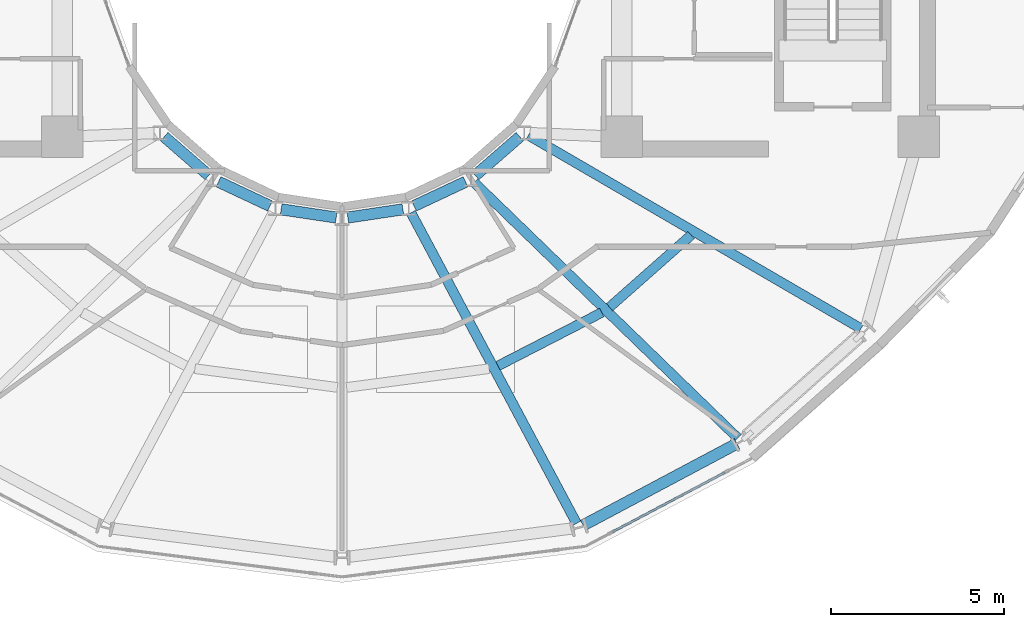
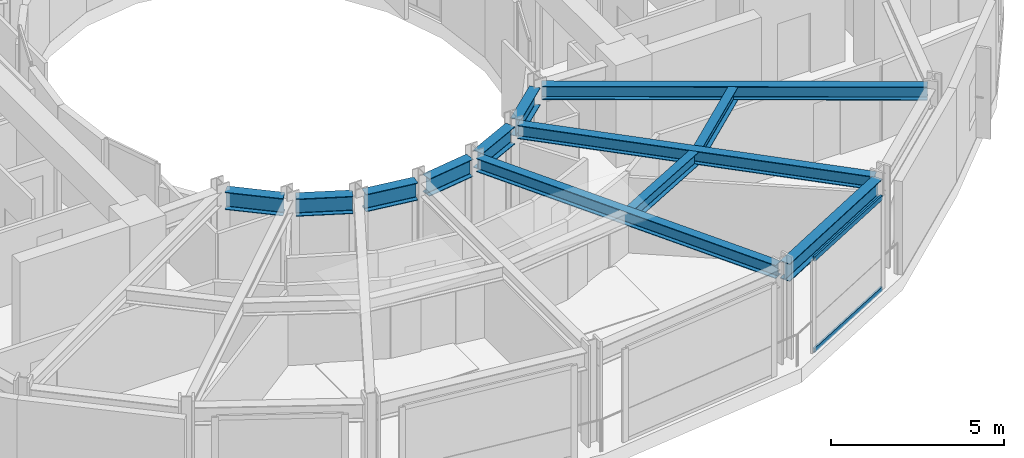
# One storey, part 5 of 25: 12 beams, 2 members, 1 element without a shape of its own.
"""IFC4 building model written with IfcOpenShell, lengths in metres."""

import ifcopenshell
import ifcopenshell.guid

model = None  # the IFC model being written
_history = None  # IfcOwnerHistory: only IFC2X3 demands one
_inside = {}  # id of a spatial element -> (the spatial element, [elements in it])
_under = {}  # id of a project, library or spatial element -> (it, [spatial elements below it])
_declared = {}  # id of a project -> (the project, [libraries it declares])
_typed = {}  # id of a type object -> (the type object, [elements of that type])
_made_of = {}  # id of a material, layer set ... -> (it, [elements and type objects made of it])


def new_model(schema):
    """Start an empty IFC model of exactly this schema.

    Asked for "IFC4X3", IfcOpenShell would pick the latest addendum, in which some entities
    have other attributes; the version numbers below select the first issue.
    IFC2X3 requires an IfcOwnerHistory on every rooted entity: one is made here for all.
    """
    global model, _history
    if schema == "IFC4X3":
        model = ifcopenshell.file(schema_version=(4, 3, 0, 0))
    else:
        model = ifcopenshell.file(schema=schema)
    _inside.clear()
    _under.clear()
    _declared.clear()
    _typed.clear()
    _made_of.clear()
    _history = None
    if model.schema == "IFC2X3":
        org = make("IfcOrganization", Name="unknown")
        user = make(
            "IfcPersonAndOrganization",
            ThePerson=make("IfcPerson", FamilyName="unknown"),
            TheOrganization=org,
        )
        app = make(
            "IfcApplication",
            ApplicationDeveloper=org,
            Version="unknown",
            ApplicationFullName="unknown",
            ApplicationIdentifier="unknown",
        )
        _history = make(
            "IfcOwnerHistory",
            OwningUser=user,
            OwningApplication=app,
            ChangeAction="ADDED",
            CreationDate=0,
        )
    return model


def make(cls, **values):
    """One entity of the class cls with the attributes given. An attribute that is None is left unset."""
    return model.create_entity(
        cls, **{name: value for name, value in values.items() if value is not None}
    )


def rooted(cls, **values):
    """An entity with a GlobalId (a new one), such as an element, a storey or a relation."""
    return make(cls, GlobalId=ifcopenshell.guid.new(), OwnerHistory=_history, **values)


def si_unit(unit_type, name, prefix=None):
    """IfcSIUnit, for example si_unit("LENGTHUNIT", "METRE", prefix="MILLI")."""
    return make("IfcSIUnit", UnitType=unit_type, Prefix=prefix, Name=name)


def assignment(units):
    """IfcUnitAssignment: the units of a project."""
    return None if units is None else make("IfcUnitAssignment", Units=units)


def point(xyz):
    """IfcCartesianPoint."""
    return None if xyz is None else make("IfcCartesianPoint", Coordinates=xyz)


def direction(xyz):
    """IfcDirection."""
    return None if xyz is None else make("IfcDirection", DirectionRatios=xyz)


def frame(location, z_axis=None, x_axis=None):
    """IfcAxis2Placement3D, a coordinate frame: its origin and axes. An axis left out is left unset."""
    return make(
        "IfcAxis2Placement3D",
        Location=point(location),
        Axis=direction(z_axis),
        RefDirection=direction(x_axis),
    )


def frame_2d(location, x_axis=None):
    """IfcAxis2Placement2D, a coordinate frame in the plane: its origin and x axis."""
    return make(
        "IfcAxis2Placement2D", Location=point(location), RefDirection=direction(x_axis)
    )


def origin():
    """The frame at (0, 0, 0) with its axes left unset."""
    return frame((0.0, 0.0, 0.0))


def origin_2d():
    """The frame at (0, 0) in the plane with its x axis left unset."""
    return frame_2d((0.0, 0.0))


def place(relative_to, where):
    """IfcLocalPlacement: puts the frame where relative to a parent placement (None: the world)."""
    return make(
        "IfcLocalPlacement", PlacementRelTo=relative_to, RelativePlacement=where
    )


def context(
    kind, dimensions, precision=None, world=None, true_north=None, identifier=None
):
    """IfcGeometricRepresentationContext, for example the 3D "Model" context."""
    return make(
        "IfcGeometricRepresentationContext",
        ContextIdentifier=identifier,
        ContextType=kind,
        CoordinateSpaceDimension=dimensions,
        Precision=precision,
        WorldCoordinateSystem=world,
        TrueNorth=true_north,
    )


def subcontext(parent, identifier, kind, view, scale=None):
    """IfcGeometricRepresentationSubContext, for example "Body" below "Model"."""
    return make(
        "IfcGeometricRepresentationSubContext",
        ContextIdentifier=identifier,
        ContextType=kind,
        ParentContext=parent,
        TargetScale=scale,
        TargetView=view,
    )


def project(units=None, contexts=None):
    """IfcProject with its units and contexts."""
    return rooted(
        "IfcProject",
        Name="project",
        RepresentationContexts=contexts,
        UnitsInContext=assignment(units),
    )


def spatial(cls, under=None, at=None, **own):
    """A site, building, storey or space (cls), placed at a placement, below another one or the project."""
    s = rooted(cls, ObjectPlacement=at, **own)
    if under is not None:
        _under.setdefault(under.id(), (under, []))[1].append(s)
    return s


def profile(cls, at=None, kind="AREA", **sizes):
    """A parametric profile (cls). Its sizes go by their IFC names, for example OverallWidth=200.0."""
    return make(cls, ProfileType=kind, Position=at, **sizes)


def hollow_rectangle(**sizes):
    """IfcRectangleHollowProfileDef."""
    return profile("IfcRectangleHollowProfileDef", **sizes)


def i_section(**sizes):
    """IfcIShapeProfileDef."""
    return profile("IfcIShapeProfileDef", **sizes)


def extrude(swept, where, along, depth):
    """IfcExtrudedAreaSolid: the profile swept, set in the frame where, extruded along a direction by depth."""
    return make(
        "IfcExtrudedAreaSolid",
        SweptArea=swept,
        Position=where,
        ExtrudedDirection=direction(along),
        Depth=depth,
    )


def shape(context_of_items, identifier, shape_type, items):
    """IfcShapeRepresentation: the items that make up one representation, for example the "Body"."""
    return make(
        "IfcShapeRepresentation",
        ContextOfItems=context_of_items,
        RepresentationIdentifier=identifier,
        RepresentationType=shape_type,
        Items=items,
    )


def material(Name=None, Category=None):
    """IfcMaterial."""
    return make("IfcMaterial", Name=Name, Category=Category)


def layer(
    of_material, thickness, ventilated=None, Name=None, Category=None, Priority=None
):
    """IfcMaterialLayer: one layer of a wall or slab, of a material (None: an air gap)."""
    return make(
        "IfcMaterialLayer",
        Material=of_material,
        LayerThickness=thickness,
        IsVentilated=ventilated,
        Name=Name,
        Category=Category,
        Priority=Priority,
    )


def layer_set(layers, Name=None):
    """IfcMaterialLayerSet."""
    return make("IfcMaterialLayerSet", MaterialLayers=layers, LayerSetName=Name)


def material_profile(
    of_material, cross_section, Name=None, Category=None, Priority=None
):
    """IfcMaterialProfile: a cross section and its material."""
    return make(
        "IfcMaterialProfile",
        Name=Name,
        Material=of_material,
        Profile=cross_section,
        Priority=Priority,
        Category=Category,
    )


def profile_set(profiles, Name=None, composite=None):
    """IfcMaterialProfileSet."""
    return make(
        "IfcMaterialProfileSet",
        Name=Name,
        MaterialProfiles=profiles,
        CompositeProfile=composite,
    )


def made_of(thing, what):
    """Note that an element or type object is made of a material, layer set ...; save() writes the relation."""
    if what is not None:
        _made_of.setdefault(what.id(), (what, []))[1].append(thing)
    return thing


def type_object(cls, material=None, **own):
    """A type object (cls), such as IfcWallType, which elements share."""
    return made_of(rooted(cls, **own), material)


def element(
    cls,
    number,
    at=None,
    inside=None,
    cuts=None,
    type_object=None,
    material=None,
    context=None,
    identifier="Body",
    shape_type=None,
    held_by="IfcProductDefinitionShape",
    body=None,
    shapes=None,
    **own,
):
    """One element of the class cls, such as IfcWall. Its Tag is "e" and its number.

    at: its placement. inside: the storey or other place that contains it. cuts: it is an
    opening in that element (IfcRelVoidsElement). A single representation is given by context,
    identifier, shape_type and body (its items); several are given by shapes. held_by: the class
    of the entity that holds the representations. save() writes the other relations.
    """
    e = rooted(cls, Tag="e%d" % number, ObjectPlacement=at, **own)
    if body is not None:
        shapes = [shape(context, identifier, shape_type, body)]
    if shapes is not None:
        e.Representation = make(held_by, Representations=shapes)
    if inside is not None:
        _inside.setdefault(inside.id(), (inside, []))[1].append(e)
    if cuts is not None:
        rooted(
            "IfcRelVoidsElement", RelatingBuildingElement=cuts, RelatedOpeningElement=e
        )
    if type_object is not None:
        _typed.setdefault(type_object.id(), (type_object, []))[1].append(e)
    return made_of(e, material)


def aggregate(whole, parts):
    """IfcRelAggregates: a whole, such as a stair, and the parts it consists of."""
    return rooted("IfcRelAggregates", RelatingObject=whole, RelatedObjects=parts)


def save(model, path):
    """Write the relations noted so far, then the file.

    IfcRelAggregates (storeys below a building ...), IfcRelContainedInSpatialStructure (elements
    in a storey), IfcRelDefinesByType, IfcRelAssociatesMaterial and IfcRelDeclares: one each for
    every whole, place, type object, material and project.
    """
    for whole, parts in _under.values():
        aggregate(whole, parts)
    for where, things in _inside.values():
        rooted(
            "IfcRelContainedInSpatialStructure",
            RelatedElements=things,
            RelatingStructure=where,
        )
    for kind, things in _typed.values():
        rooted("IfcRelDefinesByType", RelatedObjects=things, RelatingType=kind)
    for what, things in _made_of.values():
        rooted("IfcRelAssociatesMaterial", RelatedObjects=things, RelatingMaterial=what)
    for by, libraries in _declared.values():
        rooted("IfcRelDeclares", RelatingContext=by, RelatedDefinitions=libraries)
    model.write(path)


model = new_model("IFC4")

# Units and contexts
model_context = context("Model", 3, precision=1e-05, world=origin(), true_north=direction((0.0, 1.0)))
body_context = subcontext(model_context, "Body", "Model", "MODEL_VIEW")
ifc_project = project(units=[si_unit("LENGTHUNIT", "METRE"), si_unit("AREAUNIT", "SQUARE_METRE"), si_unit("VOLUMEUNIT", "CUBIC_METRE"), si_unit("PLANEANGLEUNIT", "RADIAN"), si_unit("MASSUNIT", "GRAM", prefix="KILO")], contexts=[model_context])

# Site, building, storey
site_placement = place(None, origin())
site = spatial("IfcSite", under=ifc_project, at=site_placement, CompositionType="ELEMENT")
building_placement = place(site_placement, origin())
building = spatial("IfcBuilding", under=site, at=building_placement, Name="Solvane Sanctuary Tower", CompositionType="ELEMENT")
storey_placement = place(building_placement, frame((0.0, 0.0, 238.800048828125)))
storey = spatial("IfcBuildingStorey", under=building, at=storey_placement, Name="L73", CompositionType="ELEMENT", Elevation=238.800048828125)

# Beams
ifc_material_1 = material(Name="Steel ASTM A992 Grade 50", Category="steel")
ifc_material_profile_1 = material_profile(ifc_material_1, i_section(OverallWidth=0.282958984375, OverallDepth=0.471923828125, WebThickness=0.013671875, FlangeThickness=0.022216796875, FilletRadius=0.013916015625, at=origin_2d()), Name="W18X97")
ifc_profile_set_1 = profile_set([ifc_material_profile_1], Name="Steel ASTM A992 Grade 50")
beam_type_1 = type_object("IfcBeamType", Name="Beam B-RAD-Z4 W18X97", PredefinedType="JOIST", material=ifc_profile_set_1)
beam_1_placement = place(storey_placement, frame((33.99658203125, 14.704833984375, 3.08203125), z_axis=(0.470405435304, -0.882450410185, 0.0), x_axis=(0.882450410185, 0.470405435304, 0.0)))
element("IfcBeam", 1, at=beam_1_placement, inside=storey, type_object=beam_type_1, Name="L73 Radial Composite Floor Beam 12", PredefinedType="JOIST", context=body_context, shape_type="SweptSolid", body=[
    extrude(i_section(OverallWidth=0.282958984375, OverallDepth=0.471923828125, WebThickness=0.013671875, FlangeThickness=0.022216796875, FilletRadius=0.013916015625, at=origin_2d()), origin(), (0.0, 0.0, 1.0), 10.190673828125),
])
beam_2_placement = place(storey_placement, frame((35.83056640625, 15.575927734375, 3.08203125), z_axis=(0.71793137972, -0.696113880061, 0.0), x_axis=(0.696113880061, 0.71793137972, 0.0)))
element("IfcBeam", 2, at=beam_2_placement, inside=storey, type_object=beam_type_1, Name="L73 Radial Composite Floor Beam 13", PredefinedType="JOIST", context=body_context, shape_type="SweptSolid", body=[
    extrude(i_section(OverallWidth=0.282958984375, OverallDepth=0.471923828125, WebThickness=0.013671875, FlangeThickness=0.022216796875, FilletRadius=0.013916015625, at=origin_2d()), origin(), (0.0, 0.0, 1.0), 10.619384765625),
])
beam_3_placement = place(storey_placement, frame((37.39599609375, 16.947509765625, 3.08203125), z_axis=(0.864496775109, -0.502638364857, 0.0), x_axis=(0.502638364857, 0.864496775109, 0.0)))
element("IfcBeam", 3, at=beam_3_placement, inside=storey, type_object=beam_type_1, Name="L73 Radial Composite Floor Beam 14", PredefinedType="JOIST", context=body_context, shape_type="SweptSolid", body=[
    extrude(i_section(OverallWidth=0.282958984375, OverallDepth=0.471923828125, WebThickness=0.013671875, FlangeThickness=0.022216796875, FilletRadius=0.013916015625, at=origin_2d()), origin(), (0.0, 0.0, 1.0), 11.136962890625),
])
ifc_material_profile_2 = material_profile(ifc_material_1, i_section(OverallWidth=0.324951171875, OverallDepth=0.615966796875, WebThickness=0.013916015625, FlangeThickness=0.021484375, FilletRadius=0.01611328125, at=origin_2d()), Name="W24X117")
ifc_profile_set_2 = profile_set([ifc_material_profile_2], Name="Steel ASTM A992 Grade 50")
beam_type_2 = type_object("IfcBeamType", Name="Beam B-RING-IN2 W24X117", PredefinedType="BEAM", material=ifc_profile_set_2)
beam_4_placement = place(storey_placement, frame((26.853271484375, 16.90625, 3.010009765625), z_axis=(0.754362388825, -0.656458213694, 0.0), x_axis=(0.656458213694, 0.754362388825, 0.0)))
element("IfcBeam", 4, at=beam_4_placement, inside=storey, type_object=beam_type_2, Name="L73 Inner Light-Well Ring Beam IC08-IC09", PredefinedType="BEAM", context=body_context, shape_type="SweptSolid", body=[
    extrude(i_section(OverallWidth=0.324951171875, OverallDepth=0.615966796875, WebThickness=0.013916015625, FlangeThickness=0.021484375, FilletRadius=0.01611328125, at=origin_2d()), origin(), (0.0, 0.0, 1.0), 1.708251953125),
])
beam_5_placement = place(storey_placement, frame((28.423828125, 15.60107421875, 3.010009765625), z_axis=(0.905150857291, -0.425090491008, 0.0), x_axis=(0.425090491008, 0.905150857291, 0.0)))
element("IfcBeam", 5, at=beam_5_placement, inside=storey, type_object=beam_type_2, Name="L73 Inner Light-Well Ring Beam IC09-IC10", PredefinedType="BEAM", context=body_context, shape_type="SweptSolid", body=[
    extrude(i_section(OverallWidth=0.324951171875, OverallDepth=0.615966796875, WebThickness=0.013916015625, FlangeThickness=0.021484375, FilletRadius=0.01611328125, at=origin_2d()), origin(), (0.0, 0.0, 1.0), 1.647705078125),
])
for number, where, z_axis, x_axis, name in (
    (6, (30.2373046875, 14.80322265625, 3.010009765625), (0.989039416515, -0.147651727316, 0.0), (0.147651727316, 0.989039416515, 0.0), "L73 Inner Light-Well Ring Beam IC10-IC11"),
    (7, (32.168212890625, 14.565185546875, 3.010009765625), (0.989039416515, 0.147651727316, 0.0), (-0.147651727316, 0.989039416515, 0.0), "L73 Inner Light-Well Ring Beam IC11-IC12"),
):
    element("IfcBeam", number, at=place(storey_placement, frame(where, z_axis=z_axis, x_axis=x_axis)), inside=storey, type_object=beam_type_2, Name=name, PredefinedType="BEAM", context=body_context, shape_type="SweptSolid", body=[
        extrude(i_section(OverallWidth=0.324951171875, OverallDepth=0.615966796875, WebThickness=0.013916015625, FlangeThickness=0.021484375, FilletRadius=0.01611328125, at=origin_2d()), origin(), (0.0, 0.0, 1.0), 1.612060546875),
    ])
beam_6_placement = place(storey_placement, frame((34.084716796875, 14.900634765625, 3.010009765625), z_axis=(0.905150857291, 0.425090491008, 0.0), x_axis=(-0.425090491008, 0.905150857291, 0.0)))
element("IfcBeam", 8, at=beam_6_placement, inside=storey, type_object=beam_type_2, Name="L73 Inner Light-Well Ring Beam IC12-IC13", PredefinedType="BEAM", context=body_context, shape_type="SweptSolid", body=[
    extrude(i_section(OverallWidth=0.324951171875, OverallDepth=0.615966796875, WebThickness=0.013916015625, FlangeThickness=0.021484375, FilletRadius=0.01611328125, at=origin_2d()), origin(), (0.0, 0.0, 1.0), 1.647705078125),
])
beam_7_placement = place(storey_placement, frame((35.858154296875, 15.784912109375, 3.010009765625), z_axis=(0.754362388825, 0.656458213694, 0.0), x_axis=(-0.656458213694, 0.754362388825, 0.0)))
element("IfcBeam", 9, at=beam_7_placement, inside=storey, type_object=beam_type_2, Name="L73 Inner Light-Well Ring Beam IC13-IC14", PredefinedType="BEAM", context=body_context, shape_type="SweptSolid", body=[
    extrude(i_section(OverallWidth=0.324951171875, OverallDepth=0.615966796875, WebThickness=0.013916015625, FlangeThickness=0.021484375, FilletRadius=0.01611328125, at=origin_2d()), origin(), (0.0, 0.0, 1.0), 1.708251953125),
])
ifc_material_profile_3 = material_profile(ifc_material_1, i_section(OverallWidth=0.280029296875, OverallDepth=0.462890625, WebThickness=0.0107421875, FlangeThickness=0.017333984375, FilletRadius=0.013916015625, at=origin_2d()), Name="W18X76")
ifc_profile_set_3 = profile_set([ifc_material_profile_3], Name="Steel ASTM A992 Grade 50")
beam_type_3 = type_object("IfcBeamType", Name="Beam B-SEC-JOIST W18X76", PredefinedType="JOIST", material=ifc_profile_set_3)
beam_8_placement = place(storey_placement, frame((36.514892578125, 10.27099609375, 3.08642578125), z_axis=(0.88924080122, 0.4574393921, 0.0), x_axis=(-0.4574393921, 0.88924080122, 0.0)))
element("IfcBeam", 10, at=beam_8_placement, inside=storey, type_object=beam_type_3, Name="L73 Secondary Circumferential Joist 12-13", PredefinedType="JOIST", context=body_context, shape_type="SweptSolid", body=[
    extrude(i_section(OverallWidth=0.280029296875, OverallDepth=0.462890625, WebThickness=0.0107421875, FlangeThickness=0.017333984375, FilletRadius=0.013916015625, at=origin_2d()), origin(), (0.0, 0.0, 1.0), 3.380615234375),
])
beam_9_placement = place(storey_placement, frame((39.744873046875, 11.97021484375, 3.08642578125), z_axis=(0.749354102876, 0.662169486236, 0.0), x_axis=(-0.662169486236, 0.749354102876, 0.0)))
element("IfcBeam", 11, at=beam_9_placement, inside=storey, type_object=beam_type_3, Name="L73 Secondary Circumferential Joist 13-14", PredefinedType="JOIST", context=body_context, shape_type="SweptSolid", body=[
    extrude(i_section(OverallWidth=0.280029296875, OverallDepth=0.462890625, WebThickness=0.0107421875, FlangeThickness=0.017333984375, FilletRadius=0.013916015625, at=origin_2d()), origin(), (0.0, 0.0, 1.0), 3.153076171875),
])
ifc_material_profile_4 = material_profile(ifc_material_1, i_section(OverallWidth=0.327880859375, OverallDepth=0.6279296875, WebThickness=0.0166015625, FlangeThickness=0.027587890625, FilletRadius=0.01611328125, at=origin_2d()), Name="W24X146")
ifc_profile_set_4 = profile_set([ifc_material_profile_4], Name="Steel ASTM A992 Grade 50")
beam_type_4 = type_object("IfcBeamType", Name="Beam B-SPAND-Z3 W24X146", PredefinedType="SPANDREL", material=ifc_profile_set_4)
beam_10_placement = place(storey_placement, frame((38.979736328125, 5.654296875, 3.00390625), z_axis=(0.883011615456, 0.469351133981, 0.0), x_axis=(-0.469351133981, 0.883011615456, 0.0)))
element("IfcBeam", 12, at=beam_10_placement, inside=storey, type_object=beam_type_4, Name="L73 Perimeter Spandrel Beam TC12-TC13", PredefinedType="SPANDREL", context=body_context, shape_type="SweptSolid", body=[
    extrude(i_section(OverallWidth=0.327880859375, OverallDepth=0.6279296875, WebThickness=0.0166015625, FlangeThickness=0.027587890625, FilletRadius=0.01611328125, at=origin_2d()), origin(), (0.0, 0.0, 1.0), 5.04150390625),
])

# Curtain wall, members
ifc_material_2 = material(Name="Anodised Aluminium 6063-T6", Category="aluminium")
ifc_layer = layer(ifc_material_2, 0.18994140625, Name="Anodised Aluminium 6063-T6")
ifc_layer_set = layer_set([ifc_layer], Name="Anodised Aluminium 6063-T6")
curtain_wall_type = type_object("IfcCurtainWallType", Name="Curtain Wall CW-OPER", PredefinedType="NOTDEFINED", material=ifc_layer_set)
curtain_wall_placement = place(storey_placement, origin())
curtain_wall = element("IfcCurtainWall", 13, at=curtain_wall_placement, inside=storey, type_object=curtain_wall_type, Name="L73 CW-OPER Facade Run 19", PredefinedType="NOTDEFINED")
ifc_material_profile_5 = material_profile(ifc_material_2, hollow_rectangle(XDim=0.06494140625, YDim=0.159912109375, WallThickness=0.00341796875, at=origin_2d()), Name="ALU160X65X3.5")
ifc_profile_set_5 = profile_set([ifc_material_profile_5], Name="Anodised Aluminium 6063-T6")
member_type = type_object("IfcMemberType", Name="Member M-CW-TRN-1 ALU160X65X3.5", PredefinedType="USERDEFINED", material=ifc_profile_set_5)
member_1_placement = place(storey_placement, frame((39.834228515625, 5.466552734375, 0.032470703125), z_axis=(0.883977140568, 0.467530121975, 0.0), x_axis=(-0.467530121975, 0.883977140568, 0.0)))
member_1 = element("IfcMember", 14, at=member_1_placement, type_object=member_type, Name="CW-OPER transom 1.1", ObjectType="TRANSOM", PredefinedType="USERDEFINED", context=body_context, shape_type="SweptSolid", body=[
    extrude(hollow_rectangle(XDim=0.06494140625, YDim=0.159912109375, WallThickness=0.00341796875, at=origin_2d()), origin(), (0.0, 0.0, 1.0), 3.67041015625),
])
member_2_placement = place(storey_placement, frame((39.834228515625, 5.466552734375, 3.24755859375), z_axis=(0.883977140568, 0.467530121975, 0.0), x_axis=(-0.467530121975, 0.883977140568, 0.0)))
member_2 = element("IfcMember", 15, at=member_2_placement, type_object=member_type, Name="CW-OPER transom 1.2", ObjectType="TRANSOM", PredefinedType="USERDEFINED", context=body_context, shape_type="SweptSolid", body=[
    extrude(hollow_rectangle(XDim=0.06494140625, YDim=0.159912109375, WallThickness=0.00341796875, at=origin_2d()), origin(), (0.0, 0.0, 1.0), 3.67041015625),
])
aggregate(curtain_wall, [member_1, member_2])

save(model, "model.ifc")
